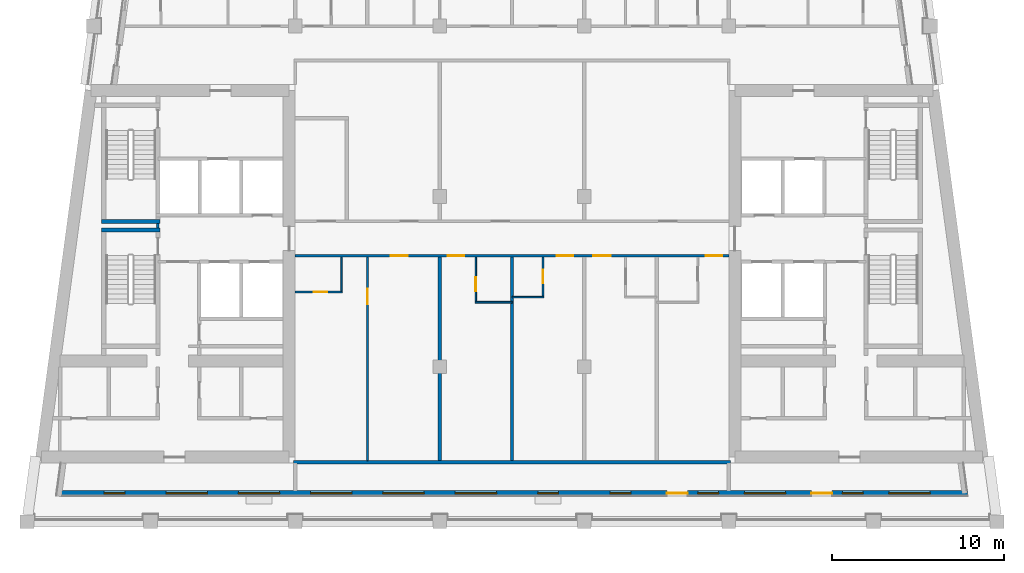
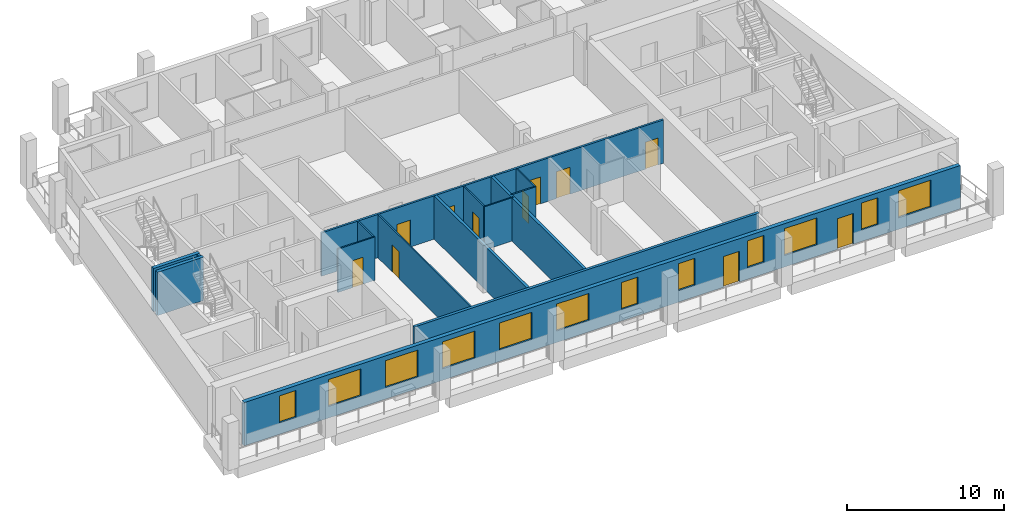
# One storey, part 3 of 13: 15 walls, 12 windows, 11 doors, 23 openings.
"""IFC4 building model written with IfcOpenShell, lengths in metres."""

from ifc_helpers import new_model, si_unit, direction, frame, frame_2d, origin, place, context, subcontext, project, spatial, rectangle, extrude, material, layer, layer_set, type_object, element, fill, save


model = new_model("IFC4")

# Units and contexts
model_context = context("Model", 3, precision=1e-05, world=origin(), true_north=direction((0.0, 1.0)))
body_context = subcontext(model_context, "Body", "Model", "MODEL_VIEW")
ifc_project = project(units=[si_unit("LENGTHUNIT", "METRE"), si_unit("AREAUNIT", "SQUARE_METRE"), si_unit("VOLUMEUNIT", "CUBIC_METRE"), si_unit("PLANEANGLEUNIT", "RADIAN"), si_unit("MASSUNIT", "GRAM", prefix="KILO")], contexts=[model_context])

# Site, building, storey
site_placement = place(None, origin())
site = spatial("IfcSite", under=ifc_project, at=site_placement, CompositionType="ELEMENT")
building_placement = place(site_placement, origin())
building = spatial("IfcBuilding", under=site, at=building_placement, Name="Candeia Pilgrim Tower and Theatre", CompositionType="ELEMENT")
storey_placement = place(building_placement, frame((0.0, 0.0, 270.10009765625)))
storey = spatial("IfcBuildingStorey", under=building, at=storey_placement, Name="L65", CompositionType="ELEMENT", Elevation=270.10009765625)

# Wall, openings, doors, windows
ifc_material_1 = material(Name="Ceramic block masonry", Category="masonry")
ifc_layer_1 = layer(ifc_material_1, 0.300048828125)
ifc_layer_set_1 = layer_set([ifc_layer_1], Name="EW1 glazing-line wall 300")
wall_type_1 = type_object("IfcWallType", Name="EW1 glazing-line wall 300", PredefinedType="SOLIDWALL", material=ifc_layer_set_1)
wall_1_placement = place(storey_placement, frame((87.0986328125, 108.64990234375, 0.0), z_axis=(0.0, 0.0, 1.0), x_axis=(1.0, 0.0, 0.0)))
wall_1 = element("IfcWall", 1, at=wall_1_placement, inside=storey, type_object=wall_type_1, Name="External wall L65-1.0", PredefinedType="SOLIDWALL", context=body_context, shape_type="SweptSolid", body=[
    extrude(rectangle(XDim=52.7744140625, YDim=0.300048828125, at=frame_2d((26.38720703125, 0.0))), origin(), (0.0, 0.0, 1.0), 3.3798828125),
])
opening_1_placement = place(wall_1_placement, frame((2.6015625, 0.0, 0.89990234375)))
opening_1 = element("IfcOpeningElement", 2, at=opening_1_placement, cuts=wall_1, Name="Opening W-B", PredefinedType="OPENING", context=body_context, shape_type="SweptSolid", body=[
    extrude(rectangle(XDim=1.199951171875, YDim=2.10009765625, at=frame_2d((0.60009765625, 1.050048828125))), frame((0.0, 0.16015625, 0.0), z_axis=(0.0, -1.0, 0.0), x_axis=(1.0, 0.0, 0.0)), (0.0, 0.0, 1.0), 0.320068359375),
])
opening_2_placement = place(wall_1_placement, frame((6.201416015625, 0.0, 0.89990234375)))
opening_2 = element("IfcOpeningElement", 3, at=opening_2_placement, cuts=wall_1, Name="Opening W-A", PredefinedType="OPENING", context=body_context, shape_type="SweptSolid", body=[
    extrude(rectangle(XDim=2.39990234375, YDim=2.10009765625, at=frame_2d((1.199951171875, 1.050048828125))), frame((0.0, 0.16015625, 0.0), z_axis=(0.0, -1.0, 0.0), x_axis=(1.0, 0.0, 0.0)), (0.0, 0.0, 1.0), 0.320068359375),
])
opening_3_placement = place(wall_1_placement, frame((10.4013671875, 0.0, 0.89990234375)))
opening_3 = element("IfcOpeningElement", 4, at=opening_3_placement, cuts=wall_1, Name="Opening W-A", PredefinedType="OPENING", context=body_context, shape_type="SweptSolid", body=[
    extrude(rectangle(XDim=2.39990234375, YDim=2.10009765625, at=frame_2d((1.199951171875, 1.050048828125))), frame((0.0, 0.16015625, 0.0), z_axis=(0.0, -1.0, 0.0), x_axis=(1.0, 0.0, 0.0)), (0.0, 0.0, 1.0), 0.320068359375),
])
opening_4_placement = place(wall_1_placement, frame((14.6015625, 0.0, 0.89990234375)))
opening_4 = element("IfcOpeningElement", 5, at=opening_4_placement, cuts=wall_1, Name="Opening W-A", PredefinedType="OPENING", context=body_context, shape_type="SweptSolid", body=[
    extrude(rectangle(XDim=2.39990234375, YDim=2.10009765625, at=frame_2d((1.199951171875, 1.050048828125))), frame((0.0, 0.16015625, 0.0), z_axis=(0.0, -1.0, 0.0), x_axis=(1.0, 0.0, 0.0)), (0.0, 0.0, 1.0), 0.320068359375),
])
opening_5_placement = place(wall_1_placement, frame((18.801513671875, 0.0, 0.89990234375)))
opening_5 = element("IfcOpeningElement", 6, at=opening_5_placement, cuts=wall_1, Name="Opening W-A", PredefinedType="OPENING", context=body_context, shape_type="SweptSolid", body=[
    extrude(rectangle(XDim=2.39990234375, YDim=2.10009765625, at=frame_2d((1.199951171875, 1.050048828125))), frame((0.0, 0.16015625, 0.0), z_axis=(0.0, -1.0, 0.0), x_axis=(1.0, 0.0, 0.0)), (0.0, 0.0, 1.0), 0.320068359375),
])
opening_6_placement = place(wall_1_placement, frame((23.00146484375, 0.0, 0.89990234375)))
opening_6 = element("IfcOpeningElement", 7, at=opening_6_placement, cuts=wall_1, Name="Opening W-A", PredefinedType="OPENING", context=body_context, shape_type="SweptSolid", body=[
    extrude(rectangle(XDim=2.39990234375, YDim=2.10009765625, at=frame_2d((1.199951171875, 1.050048828125))), frame((0.0, 0.16015625, 0.0), z_axis=(0.0, -1.0, 0.0), x_axis=(1.0, 0.0, 0.0)), (0.0, 0.0, 1.0), 0.320068359375),
])
opening_7_placement = place(wall_1_placement, frame((27.801513671875, 0.0, 0.89990234375)))
opening_7 = element("IfcOpeningElement", 8, at=opening_7_placement, cuts=wall_1, Name="Opening W-B", PredefinedType="OPENING", context=body_context, shape_type="SweptSolid", body=[
    extrude(rectangle(XDim=1.199951171875, YDim=2.10009765625, at=frame_2d((0.60009765625, 1.050048828125))), frame((0.0, 0.16015625, 0.0), z_axis=(0.0, -1.0, 0.0), x_axis=(1.0, 0.0, 0.0)), (0.0, 0.0, 1.0), 0.320068359375),
])
opening_8_placement = place(wall_1_placement, frame((32.00146484375, 0.0, 0.89990234375)))
opening_8 = element("IfcOpeningElement", 9, at=opening_8_placement, cuts=wall_1, Name="Opening W-B", PredefinedType="OPENING", context=body_context, shape_type="SweptSolid", body=[
    extrude(rectangle(XDim=1.199951171875, YDim=2.10009765625, at=frame_2d((0.60009765625, 1.050048828125))), frame((0.0, 0.16015625, 0.0), z_axis=(0.0, -1.0, 0.0), x_axis=(1.0, 0.0, 0.0)), (0.0, 0.0, 1.0), 0.320068359375),
])
opening_9_placement = place(wall_1_placement, frame((35.301513671875, 0.0, 0.0)))
opening_9 = element("IfcOpeningElement", 10, at=opening_9_placement, cuts=wall_1, Name="Opening L65-ED613", PredefinedType="OPENING", context=body_context, shape_type="SweptSolid", body=[
    extrude(rectangle(XDim=1.199951171875, YDim=2.39990234375, at=frame_2d((0.60009765625, 1.199951171875))), frame((0.0, 0.16015625, 0.0), z_axis=(0.0, -1.0, 0.0), x_axis=(1.0, 0.0, 0.0)), (0.0, 0.0, 1.0), 0.320068359375),
])
opening_10_placement = place(wall_1_placement, frame((37.1015625, 0.0, 0.89990234375)))
opening_10 = element("IfcOpeningElement", 11, at=opening_10_placement, cuts=wall_1, Name="Opening W-B", PredefinedType="OPENING", context=body_context, shape_type="SweptSolid", body=[
    extrude(rectangle(XDim=1.199951171875, YDim=2.10009765625, at=frame_2d((0.60009765625, 1.050048828125))), frame((0.0, 0.16015625, 0.0), z_axis=(0.0, -1.0, 0.0), x_axis=(1.0, 0.0, 0.0)), (0.0, 0.0, 1.0), 0.320068359375),
])
opening_11_placement = place(wall_1_placement, frame((39.801513671875, 0.0, 0.89990234375)))
opening_11 = element("IfcOpeningElement", 12, at=opening_11_placement, cuts=wall_1, Name="Opening W-A", PredefinedType="OPENING", context=body_context, shape_type="SweptSolid", body=[
    extrude(rectangle(XDim=2.39990234375, YDim=2.10009765625, at=frame_2d((1.199951171875, 1.050048828125))), frame((0.0, 0.16015625, 0.0), z_axis=(0.0, -1.0, 0.0), x_axis=(1.0, 0.0, 0.0)), (0.0, 0.0, 1.0), 0.320068359375),
])
opening_12_placement = place(wall_1_placement, frame((43.701416015625, 0.0, 0.0)))
opening_12 = element("IfcOpeningElement", 13, at=opening_12_placement, cuts=wall_1, Name="Opening L65-ED614", PredefinedType="OPENING", context=body_context, shape_type="SweptSolid", body=[
    extrude(rectangle(XDim=1.199951171875, YDim=2.39990234375, at=frame_2d((0.60009765625, 1.199951171875))), frame((0.0, 0.16015625, 0.0), z_axis=(0.0, -1.0, 0.0), x_axis=(1.0, 0.0, 0.0)), (0.0, 0.0, 1.0), 0.320068359375),
])
opening_13_placement = place(wall_1_placement, frame((45.50146484375, 0.0, 0.89990234375)))
opening_13 = element("IfcOpeningElement", 14, at=opening_13_placement, cuts=wall_1, Name="Opening W-B", PredefinedType="OPENING", context=body_context, shape_type="SweptSolid", body=[
    extrude(rectangle(XDim=1.199951171875, YDim=2.10009765625, at=frame_2d((0.60009765625, 1.050048828125))), frame((0.0, 0.16015625, 0.0), z_axis=(0.0, -1.0, 0.0), x_axis=(1.0, 0.0, 0.0)), (0.0, 0.0, 1.0), 0.320068359375),
])
opening_14_placement = place(wall_1_placement, frame((48.201416015625, 0.0, 0.89990234375)))
opening_14 = element("IfcOpeningElement", 15, at=opening_14_placement, cuts=wall_1, Name="Opening W-A", PredefinedType="OPENING", context=body_context, shape_type="SweptSolid", body=[
    extrude(rectangle(XDim=2.39990234375, YDim=2.10009765625, at=frame_2d((1.199951171875, 1.050048828125))), frame((0.0, 0.16015625, 0.0), z_axis=(0.0, -1.0, 0.0), x_axis=(1.0, 0.0, 0.0)), (0.0, 0.0, 1.0), 0.320068359375),
])
ifc_material_2 = material(Name="Aluminium framed glazed door", Category="aluminium")
door_type_1 = type_object("IfcDoorType", Name="Loggia door 1200x2400", OperationType="DOUBLE_DOOR_SINGLE_SWING", PredefinedType="DOOR", material=ifc_material_2)
door_1_placement = place(opening_9_placement, origin())
door_1 = element("IfcDoor", 16, at=door_1_placement, inside=storey, type_object=door_type_1, Name="Loggia door L65-ED613", OperationType="DOUBLE_DOOR_SINGLE_SWING", OverallHeight=2.39990234375, OverallWidth=1.199951171875, PredefinedType="DOOR", context=body_context, shape_type="SweptSolid", body=[
    extrude(rectangle(XDim=1.199951171875, YDim=2.39990234375, at=frame_2d((0.60009765625, 1.199951171875))), frame((0.0, 0.02490234375, 0.0), z_axis=(0.0, -1.0, 0.0), x_axis=(1.0, 0.0, 0.0)), (0.0, 0.0, 1.0), 0.050048828125),
])
fill(opening_9, door_1)
door_2_placement = place(opening_12_placement, origin())
door_2 = element("IfcDoor", 17, at=door_2_placement, inside=storey, type_object=door_type_1, Name="Loggia door L65-ED614", OperationType="DOUBLE_DOOR_SINGLE_SWING", OverallHeight=2.39990234375, OverallWidth=1.199951171875, PredefinedType="DOOR", context=body_context, shape_type="SweptSolid", body=[
    extrude(rectangle(XDim=1.199951171875, YDim=2.39990234375, at=frame_2d((0.60009765625, 1.199951171875))), frame((0.0, 0.02490234375, 0.0), z_axis=(0.0, -1.0, 0.0), x_axis=(1.0, 0.0, 0.0)), (0.0, 0.0, 1.0), 0.050048828125),
])
fill(opening_12, door_2)
ifc_material_3 = material(Name="Aluminium framed double glazing", Category="aluminium")
window_type_1 = type_object("IfcWindowType", Name="W-A window 2400x2100", PartitioningType="DOUBLE_PANEL_VERTICAL", PredefinedType="WINDOW", material=ifc_material_3)
window_1_placement = place(opening_2_placement, origin())
window_1 = element("IfcWindow", 18, at=window_1_placement, inside=storey, type_object=window_type_1, Name="Window W-A L65", OverallHeight=2.10009765625, OverallWidth=2.39990234375, PartitioningType="SINGLE_PANEL", PredefinedType="WINDOW", context=body_context, shape_type="SweptSolid", body=[
    extrude(rectangle(XDim=2.39990234375, YDim=2.10009765625, at=frame_2d((1.199951171875, 1.050048828125))), frame((0.0, 0.030029296875, 0.0), z_axis=(0.0, -1.0, 0.0), x_axis=(1.0, 0.0, 0.0)), (0.0, 0.0, 1.0), 0.06005859375),
])
fill(opening_2, window_1)
window_2_placement = place(opening_3_placement, origin())
window_2 = element("IfcWindow", 19, at=window_2_placement, inside=storey, type_object=window_type_1, Name="Window W-A L65", OverallHeight=2.10009765625, OverallWidth=2.39990234375, PartitioningType="SINGLE_PANEL", PredefinedType="WINDOW", context=body_context, shape_type="SweptSolid", body=[
    extrude(rectangle(XDim=2.39990234375, YDim=2.10009765625, at=frame_2d((1.199951171875, 1.050048828125))), frame((0.0, 0.030029296875, 0.0), z_axis=(0.0, -1.0, 0.0), x_axis=(1.0, 0.0, 0.0)), (0.0, 0.0, 1.0), 0.06005859375),
])
fill(opening_3, window_2)
window_3_placement = place(opening_4_placement, origin())
window_3 = element("IfcWindow", 20, at=window_3_placement, inside=storey, type_object=window_type_1, Name="Window W-A L65", OverallHeight=2.10009765625, OverallWidth=2.39990234375, PartitioningType="SINGLE_PANEL", PredefinedType="WINDOW", context=body_context, shape_type="SweptSolid", body=[
    extrude(rectangle(XDim=2.39990234375, YDim=2.10009765625, at=frame_2d((1.199951171875, 1.050048828125))), frame((0.0, 0.030029296875, 0.0), z_axis=(0.0, -1.0, 0.0), x_axis=(1.0, 0.0, 0.0)), (0.0, 0.0, 1.0), 0.06005859375),
])
fill(opening_4, window_3)
window_4_placement = place(opening_5_placement, origin())
window_4 = element("IfcWindow", 21, at=window_4_placement, inside=storey, type_object=window_type_1, Name="Window W-A L65", OverallHeight=2.10009765625, OverallWidth=2.39990234375, PartitioningType="SINGLE_PANEL", PredefinedType="WINDOW", context=body_context, shape_type="SweptSolid", body=[
    extrude(rectangle(XDim=2.39990234375, YDim=2.10009765625, at=frame_2d((1.199951171875, 1.050048828125))), frame((0.0, 0.030029296875, 0.0), z_axis=(0.0, -1.0, 0.0), x_axis=(1.0, 0.0, 0.0)), (0.0, 0.0, 1.0), 0.06005859375),
])
fill(opening_5, window_4)
window_5_placement = place(opening_6_placement, origin())
window_5 = element("IfcWindow", 22, at=window_5_placement, inside=storey, type_object=window_type_1, Name="Window W-A L65", OverallHeight=2.10009765625, OverallWidth=2.39990234375, PartitioningType="SINGLE_PANEL", PredefinedType="WINDOW", context=body_context, shape_type="SweptSolid", body=[
    extrude(rectangle(XDim=2.39990234375, YDim=2.10009765625, at=frame_2d((1.199951171875, 1.050048828125))), frame((0.0, 0.030029296875, 0.0), z_axis=(0.0, -1.0, 0.0), x_axis=(1.0, 0.0, 0.0)), (0.0, 0.0, 1.0), 0.06005859375),
])
fill(opening_6, window_5)
window_6_placement = place(opening_11_placement, origin())
window_6 = element("IfcWindow", 23, at=window_6_placement, inside=storey, type_object=window_type_1, Name="Window W-A L65", OverallHeight=2.10009765625, OverallWidth=2.39990234375, PartitioningType="SINGLE_PANEL", PredefinedType="WINDOW", context=body_context, shape_type="SweptSolid", body=[
    extrude(rectangle(XDim=2.39990234375, YDim=2.10009765625, at=frame_2d((1.199951171875, 1.050048828125))), frame((0.0, 0.030029296875, 0.0), z_axis=(0.0, -1.0, 0.0), x_axis=(1.0, 0.0, 0.0)), (0.0, 0.0, 1.0), 0.06005859375),
])
fill(opening_11, window_6)
window_7_placement = place(opening_14_placement, origin())
window_7 = element("IfcWindow", 24, at=window_7_placement, inside=storey, type_object=window_type_1, Name="Window W-A L65", OverallHeight=2.10009765625, OverallWidth=2.39990234375, PartitioningType="SINGLE_PANEL", PredefinedType="WINDOW", context=body_context, shape_type="SweptSolid", body=[
    extrude(rectangle(XDim=2.39990234375, YDim=2.10009765625, at=frame_2d((1.199951171875, 1.050048828125))), frame((0.0, 0.030029296875, 0.0), z_axis=(0.0, -1.0, 0.0), x_axis=(1.0, 0.0, 0.0)), (0.0, 0.0, 1.0), 0.06005859375),
])
fill(opening_14, window_7)
window_type_2 = type_object("IfcWindowType", Name="W-B window 1200x2100", PartitioningType="SINGLE_PANEL", PredefinedType="WINDOW", material=ifc_material_3)
window_8_placement = place(opening_1_placement, origin())
window_8 = element("IfcWindow", 25, at=window_8_placement, inside=storey, type_object=window_type_2, Name="Window W-B L65", OverallHeight=2.10009765625, OverallWidth=1.199951171875, PartitioningType="SINGLE_PANEL", PredefinedType="WINDOW", context=body_context, shape_type="SweptSolid", body=[
    extrude(rectangle(XDim=1.199951171875, YDim=2.10009765625, at=frame_2d((0.60009765625, 1.050048828125))), frame((0.0, 0.030029296875, 0.0), z_axis=(0.0, -1.0, 0.0), x_axis=(1.0, 0.0, 0.0)), (0.0, 0.0, 1.0), 0.06005859375),
])
fill(opening_1, window_8)
window_9_placement = place(opening_7_placement, origin())
window_9 = element("IfcWindow", 26, at=window_9_placement, inside=storey, type_object=window_type_2, Name="Window W-B L65", OverallHeight=2.10009765625, OverallWidth=1.199951171875, PartitioningType="SINGLE_PANEL", PredefinedType="WINDOW", context=body_context, shape_type="SweptSolid", body=[
    extrude(rectangle(XDim=1.199951171875, YDim=2.10009765625, at=frame_2d((0.60009765625, 1.050048828125))), frame((0.0, 0.030029296875, 0.0), z_axis=(0.0, -1.0, 0.0), x_axis=(1.0, 0.0, 0.0)), (0.0, 0.0, 1.0), 0.06005859375),
])
fill(opening_7, window_9)
window_10_placement = place(opening_8_placement, origin())
window_10 = element("IfcWindow", 27, at=window_10_placement, inside=storey, type_object=window_type_2, Name="Window W-B L65", OverallHeight=2.10009765625, OverallWidth=1.199951171875, PartitioningType="SINGLE_PANEL", PredefinedType="WINDOW", context=body_context, shape_type="SweptSolid", body=[
    extrude(rectangle(XDim=1.199951171875, YDim=2.10009765625, at=frame_2d((0.60009765625, 1.050048828125))), frame((0.0, 0.030029296875, 0.0), z_axis=(0.0, -1.0, 0.0), x_axis=(1.0, 0.0, 0.0)), (0.0, 0.0, 1.0), 0.06005859375),
])
fill(opening_8, window_10)
window_11_placement = place(opening_10_placement, origin())
window_11 = element("IfcWindow", 28, at=window_11_placement, inside=storey, type_object=window_type_2, Name="Window W-B L65", OverallHeight=2.10009765625, OverallWidth=1.199951171875, PartitioningType="SINGLE_PANEL", PredefinedType="WINDOW", context=body_context, shape_type="SweptSolid", body=[
    extrude(rectangle(XDim=1.199951171875, YDim=2.10009765625, at=frame_2d((0.60009765625, 1.050048828125))), frame((0.0, 0.030029296875, 0.0), z_axis=(0.0, -1.0, 0.0), x_axis=(1.0, 0.0, 0.0)), (0.0, 0.0, 1.0), 0.06005859375),
])
fill(opening_10, window_11)
window_12_placement = place(opening_13_placement, origin())
window_12 = element("IfcWindow", 29, at=window_12_placement, inside=storey, type_object=window_type_2, Name="Window W-B L65", OverallHeight=2.10009765625, OverallWidth=1.199951171875, PartitioningType="SINGLE_PANEL", PredefinedType="WINDOW", context=body_context, shape_type="SweptSolid", body=[
    extrude(rectangle(XDim=1.199951171875, YDim=2.10009765625, at=frame_2d((0.60009765625, 1.050048828125))), frame((0.0, 0.030029296875, 0.0), z_axis=(0.0, -1.0, 0.0), x_axis=(1.0, 0.0, 0.0)), (0.0, 0.0, 1.0), 0.06005859375),
])
fill(opening_13, window_12)

# Walls
ifc_material_4 = material(Name="Gypsum board partition on steel studs", Category="steel")
ifc_layer_2 = layer(ifc_material_4, 0.10009765625)
ifc_layer_set_2 = layer_set([ifc_layer_2], Name="PW-100 room partition")
wall_type_2 = type_object("IfcWallType", Name="PW-100 room partition", PredefinedType="PARTITIONING", material=ifc_layer_set_2)
wall_2_placement = place(storey_placement, frame((111.25, 119.75, 0.0), z_axis=(0.0, 0.0, 1.0), x_axis=(1.0, 0.0, 0.0)))
element("IfcWall", 30, at=wall_2_placement, inside=storey, type_object=wall_type_2, Name="Room partition L65-014", PredefinedType="PARTITIONING", context=body_context, shape_type="SweptSolid", body=[
    extrude(rectangle(XDim=2.14990234375, YDim=0.10009765625, at=frame_2d((1.074951171875, 0.0))), origin(), (0.0, 0.0, 1.0), 3.3798828125),
])
wall_3_placement = place(storey_placement, frame((113.39990234375, 120.050048828125, 0.0), z_axis=(0.0, 0.0, 1.0), x_axis=(1.0, 0.0, 0.0)))
element("IfcWall", 31, at=wall_3_placement, inside=storey, type_object=wall_type_2, Name="Room partition L65-016", PredefinedType="PARTITIONING", context=body_context, shape_type="SweptSolid", body=[
    extrude(rectangle(XDim=1.85009765625, YDim=0.10009765625, at=frame_2d((0.925048828125, 0.0))), origin(), (0.0, 0.0, 1.0), 3.3798828125),
])

# Wall, opening, door
wall_4_placement = place(storey_placement, frame((100.800048828125, 120.35009765625, 0.0), z_axis=(0.0, 0.0, 1.0), x_axis=(1.0, 0.0, 0.0)))
wall_4 = element("IfcWall", 32, at=wall_4_placement, inside=storey, type_object=wall_type_2, Name="Room partition L65-018", PredefinedType="PARTITIONING", context=body_context, shape_type="SweptSolid", body=[
    extrude(rectangle(XDim=2.75, YDim=0.10009765625, at=frame_2d((1.375, 0.0))), origin(), (0.0, 0.0, 1.0), 3.3798828125),
])
opening_15_placement = place(wall_4_placement, frame((1.070068359375, 0.0, 0.0)))
opening_15 = element("IfcOpeningElement", 33, at=opening_15_placement, cuts=wall_4, Name="Opening L65-D019", PredefinedType="OPENING", context=body_context, shape_type="SweptSolid", body=[
    extrude(rectangle(XDim=0.800048828125, YDim=2.10009765625, at=frame_2d((0.39990234375, 1.050048828125))), frame((0.0, 0.06005859375, 0.0), z_axis=(0.0, -1.0, 0.0), x_axis=(1.0, 0.0, 0.0)), (0.0, 0.0, 1.0), 0.1201171875),
])
ifc_material_5 = material(Name="Timber door leaf", Category="wood")
door_type_2 = type_object("IfcDoorType", Name="D-800", OperationType="NOTDEFINED", PredefinedType="DOOR", material=ifc_material_5)
door_3_placement = place(opening_15_placement, origin())
door_3 = element("IfcDoor", 34, at=door_3_placement, inside=storey, type_object=door_type_2, Name="Door L65-D019", OperationType="SINGLE_SWING_RIGHT", OverallHeight=2.10009765625, OverallWidth=0.800048828125, PredefinedType="DOOR", context=body_context, shape_type="SweptSolid", body=[
    extrude(rectangle(XDim=0.800048828125, YDim=2.10009765625, at=frame_2d((0.39990234375, 1.050048828125))), frame((0.0, 0.02490234375, 0.0), z_axis=(0.0, -1.0, 0.0), x_axis=(1.0, 0.0, 0.0)), (0.0, 0.0, 1.0), 0.050048828125),
])
fill(opening_15, door_3)

# Wall
wall_5_placement = place(storey_placement, frame((103.5, 120.39990234375, 0.0), z_axis=(0.0, 0.0, 1.0), x_axis=(0.0, 1.0, 0.0)))
element("IfcWall", 35, at=wall_5_placement, inside=storey, type_object=wall_type_2, Name="Room partition L65-066", PredefinedType="PARTITIONING", context=body_context, shape_type="SweptSolid", body=[
    extrude(rectangle(XDim=1.97509765625, YDim=0.10009765625, at=frame_2d((0.987548828125, 0.0))), origin(), (0.0, 0.0, 1.0), 3.3798828125),
])

# Wall, opening, door
wall_6_placement = place(storey_placement, frame((105.0, 110.550048828125, 0.0), z_axis=(0.0, 0.0, 1.0), x_axis=(0.0, 1.0, 0.0)))
wall_6 = element("IfcWall", 36, at=wall_6_placement, inside=storey, type_object=wall_type_2, Name="Room partition L65-068", PredefinedType="PARTITIONING", context=body_context, shape_type="SweptSolid", body=[
    extrude(rectangle(XDim=11.824951171875, YDim=0.10009765625, at=frame_2d((5.91259765625, 0.0))), origin(), (0.0, 0.0, 1.0), 3.3798828125),
])
opening_16_placement = place(wall_6_placement, frame((9.090087890625, 0.0, 0.0)))
opening_16 = element("IfcOpeningElement", 37, at=opening_16_placement, cuts=wall_6, Name="Opening L65-D018", PredefinedType="OPENING", context=body_context, shape_type="SweptSolid", body=[
    extrude(rectangle(XDim=0.89990234375, YDim=2.10009765625, at=frame_2d((0.449951171875, 1.050048828125))), frame((0.0, 0.06005859375, 0.0), z_axis=(0.0, -1.0, 0.0), x_axis=(1.0, 0.0, 0.0)), (0.0, 0.0, 1.0), 0.1201171875),
])
door_type_3 = type_object("IfcDoorType", Name="D-900", OperationType="NOTDEFINED", PredefinedType="DOOR", material=ifc_material_5)
door_4_placement = place(opening_16_placement, origin())
door_4 = element("IfcDoor", 38, at=door_4_placement, inside=storey, type_object=door_type_3, Name="Door L65-D018", OperationType="SINGLE_SWING_LEFT", OverallHeight=2.10009765625, OverallWidth=0.89990234375, PredefinedType="DOOR", context=body_context, shape_type="SweptSolid", body=[
    extrude(rectangle(XDim=0.89990234375, YDim=2.10009765625, at=frame_2d((0.449951171875, 1.050048828125))), frame((0.0, 0.02490234375, 0.0), z_axis=(0.0, -1.0, 0.0), x_axis=(1.0, 0.0, 0.0)), (0.0, 0.0, 1.0), 0.050048828125),
])
fill(opening_16, door_4)

wall_7_placement = place(storey_placement, frame((111.300048828125, 119.800048828125, 0.0), z_axis=(0.0, 0.0, 1.0), x_axis=(0.0, 1.0, 0.0)))
wall_7 = element("IfcWall", 39, at=wall_7_placement, inside=storey, type_object=wall_type_2, Name="Room partition L65-074", PredefinedType="PARTITIONING", context=body_context, shape_type="SweptSolid", body=[
    extrude(rectangle(XDim=2.574951171875, YDim=0.10009765625, at=frame_2d((1.28759765625, 0.0))), origin(), (0.0, 0.0, 1.0), 3.3798828125),
])
opening_17_placement = place(wall_7_placement, frame((0.60009765625, 0.0, 0.0)))
opening_17 = element("IfcOpeningElement", 40, at=opening_17_placement, cuts=wall_7, Name="Opening L65-D021", PredefinedType="OPENING", context=body_context, shape_type="SweptSolid", body=[
    extrude(rectangle(XDim=0.800048828125, YDim=2.10009765625, at=frame_2d((0.39990234375, 1.050048828125))), frame((0.0, 0.06005859375, 0.0), z_axis=(0.0, -1.0, 0.0), x_axis=(1.0, 0.0, 0.0)), (0.0, 0.0, 1.0), 0.1201171875),
])
door_5_placement = place(opening_17_placement, origin())
door_5 = element("IfcDoor", 41, at=door_5_placement, inside=storey, type_object=door_type_2, Name="Door L65-D021", OperationType="SINGLE_SWING_RIGHT", OverallHeight=2.10009765625, OverallWidth=0.800048828125, PredefinedType="DOOR", context=body_context, shape_type="SweptSolid", body=[
    extrude(rectangle(XDim=0.800048828125, YDim=2.10009765625, at=frame_2d((0.39990234375, 1.050048828125))), frame((0.0, 0.02490234375, 0.0), z_axis=(0.0, -1.0, 0.0), x_axis=(1.0, 0.0, 0.0)), (0.0, 0.0, 1.0), 0.050048828125),
])
fill(opening_17, door_5)

wall_8_placement = place(storey_placement, frame((115.199951171875, 120.10009765625, 0.0), z_axis=(0.0, 0.0, 1.0), x_axis=(0.0, 1.0, 0.0)))
wall_8 = element("IfcWall", 42, at=wall_8_placement, inside=storey, type_object=wall_type_2, Name="Room partition L65-077", PredefinedType="PARTITIONING", context=body_context, shape_type="SweptSolid", body=[
    extrude(rectangle(XDim=2.27490234375, YDim=0.10009765625, at=frame_2d((1.137451171875, 0.0))), origin(), (0.0, 0.0, 1.0), 3.3798828125),
])
opening_18_placement = place(wall_8_placement, frame((0.75, 0.0, 0.0)))
opening_18 = element("IfcOpeningElement", 43, at=opening_18_placement, cuts=wall_8, Name="Opening L65-D023", PredefinedType="OPENING", context=body_context, shape_type="SweptSolid", body=[
    extrude(rectangle(XDim=0.800048828125, YDim=2.10009765625, at=frame_2d((0.39990234375, 1.050048828125))), frame((0.0, 0.06005859375, 0.0), z_axis=(0.0, -1.0, 0.0), x_axis=(1.0, 0.0, 0.0)), (0.0, 0.0, 1.0), 0.1201171875),
])
door_6_placement = place(opening_18_placement, origin())
door_6 = element("IfcDoor", 44, at=door_6_placement, inside=storey, type_object=door_type_2, Name="Door L65-D023", OperationType="SINGLE_SWING_RIGHT", OverallHeight=2.10009765625, OverallWidth=0.800048828125, PredefinedType="DOOR", context=body_context, shape_type="SweptSolid", body=[
    extrude(rectangle(XDim=0.800048828125, YDim=2.10009765625, at=frame_2d((0.39990234375, 1.050048828125))), frame((0.0, 0.02490234375, 0.0), z_axis=(0.0, -1.0, 0.0), x_axis=(1.0, 0.0, 0.0)), (0.0, 0.0, 1.0), 0.050048828125),
])
fill(opening_18, door_6)

# Wall
ifc_layer_3 = layer(ifc_material_4, 0.14990234375)
ifc_layer_set_3 = layer_set([ifc_layer_3], Name="PW-150 lobby wall")
wall_type_3 = type_object("IfcWallType", Name="PW-150 lobby wall", PredefinedType="PARTITIONING", material=ifc_layer_set_3)
wall_9_placement = place(storey_placement, frame((92.826904296875, 124.074951171875, 0.0), z_axis=(0.0, 0.0, 1.0), x_axis=(0.0, 1.0, 0.0)))
element("IfcWall", 45, at=wall_9_placement, inside=storey, type_object=wall_type_3, Name="Lobby wall L65-051", PredefinedType="PARTITIONING", context=body_context, shape_type="SweptSolid", body=[
    extrude(rectangle(XDim=0.25, YDim=0.14990234375, at=frame_2d((0.125, 0.0))), origin(), (0.0, 0.0, 1.0), 3.3798828125),
])

# Wall, openings, doors
ifc_layer_4 = layer(ifc_material_4, 0.14990234375)
ifc_layer_set_4 = layer_set([ifc_layer_4], Name="PW-150 unit wall")
wall_type_4 = type_object("IfcWallType", Name="PW-150 unit wall", PredefinedType="PARTITIONING", material=ifc_layer_set_4)
wall_10_placement = place(storey_placement, frame((100.800048828125, 122.449951171875, 0.0), z_axis=(0.0, 0.0, 1.0), x_axis=(1.0, 0.0, 0.0)))
wall_10 = element("IfcWall", 46, at=wall_10_placement, inside=storey, type_object=wall_type_4, Name="Unit wall L65-023", PredefinedType="PARTITIONING", context=body_context, shape_type="SweptSolid", body=[
    extrude(rectangle(XDim=25.199951171875, YDim=0.14990234375, at=frame_2d((12.60009765625, 0.0))), origin(), (0.0, 0.0, 1.0), 3.3798828125),
])
opening_19_placement = place(wall_10_placement, frame((5.550048828125, 0.0, 0.0)))
opening_19 = element("IfcOpeningElement", 47, at=opening_19_placement, cuts=wall_10, Name="Opening L65-D017", PredefinedType="OPENING", context=body_context, shape_type="SweptSolid", body=[
    extrude(rectangle(XDim=1.0, YDim=2.10009765625, at=frame_2d((0.5, 1.050048828125))), frame((0.0, 0.0849609375, 0.0), z_axis=(0.0, -1.0, 0.0), x_axis=(1.0, 0.0, 0.0)), (0.0, 0.0, 1.0), 0.169921875),
])
opening_20_placement = place(wall_10_placement, frame((8.862060546875, 0.0, 0.0)))
opening_20 = element("IfcOpeningElement", 48, at=opening_20_placement, cuts=wall_10, Name="Opening L65-D020", PredefinedType="OPENING", context=body_context, shape_type="SweptSolid", body=[
    extrude(rectangle(XDim=0.949951171875, YDim=2.10009765625, at=frame_2d((0.47509765625, 1.050048828125))), frame((0.0, 0.0849609375, 0.0), z_axis=(0.0, -1.0, 0.0), x_axis=(1.0, 0.0, 0.0)), (0.0, 0.0, 1.0), 0.169921875),
])
opening_21_placement = place(wall_10_placement, frame((15.199951171875, 0.0, 0.0)))
opening_21 = element("IfcOpeningElement", 49, at=opening_21_placement, cuts=wall_10, Name="Opening L65-D022", PredefinedType="OPENING", context=body_context, shape_type="SweptSolid", body=[
    extrude(rectangle(XDim=0.949951171875, YDim=2.10009765625, at=frame_2d((0.47509765625, 1.050048828125))), frame((0.0, 0.0849609375, 0.0), z_axis=(0.0, -1.0, 0.0), x_axis=(1.0, 0.0, 0.0)), (0.0, 0.0, 1.0), 0.169921875),
])
opening_22_placement = place(wall_10_placement, frame((17.324951171875, 0.0, 0.0)))
opening_22 = element("IfcOpeningElement", 50, at=opening_22_placement, cuts=wall_10, Name="Opening L65-D024", PredefinedType="OPENING", context=body_context, shape_type="SweptSolid", body=[
    extrude(rectangle(XDim=1.0, YDim=2.10009765625, at=frame_2d((0.5, 1.050048828125))), frame((0.0, 0.0849609375, 0.0), z_axis=(0.0, -1.0, 0.0), x_axis=(1.0, 0.0, 0.0)), (0.0, 0.0, 1.0), 0.169921875),
])
opening_23_placement = place(wall_10_placement, frame((23.862060546875, 0.0, 0.0)))
opening_23 = element("IfcOpeningElement", 51, at=opening_23_placement, cuts=wall_10, Name="Opening L65-D026", PredefinedType="OPENING", context=body_context, shape_type="SweptSolid", body=[
    extrude(rectangle(XDim=0.949951171875, YDim=2.10009765625, at=frame_2d((0.47509765625, 1.050048828125))), frame((0.0, 0.0849609375, 0.0), z_axis=(0.0, -1.0, 0.0), x_axis=(1.0, 0.0, 0.0)), (0.0, 0.0, 1.0), 0.169921875),
])
ifc_material_6 = material(Name="Steel fire door set", Category="steel")
door_type_4 = type_object("IfcDoorType", Name="D-1000-FD30S", OperationType="NOTDEFINED", PredefinedType="DOOR", material=ifc_material_6)
door_7_placement = place(opening_19_placement, origin())
door_7 = element("IfcDoor", 52, at=door_7_placement, inside=storey, type_object=door_type_4, Name="Door L65-D017", OperationType="SINGLE_SWING_RIGHT", OverallHeight=2.10009765625, OverallWidth=1.0, PredefinedType="DOOR", context=body_context, shape_type="SweptSolid", body=[
    extrude(rectangle(XDim=1.0, YDim=2.10009765625, at=frame_2d((0.5, 1.050048828125))), frame((0.0, 0.02490234375, 0.0), z_axis=(0.0, -1.0, 0.0), x_axis=(1.0, 0.0, 0.0)), (0.0, 0.0, 1.0), 0.050048828125),
])
fill(opening_19, door_7)
door_8_placement = place(opening_22_placement, origin())
door_8 = element("IfcDoor", 53, at=door_8_placement, inside=storey, type_object=door_type_4, Name="Door L65-D024", OperationType="SINGLE_SWING_LEFT", OverallHeight=2.10009765625, OverallWidth=1.0, PredefinedType="DOOR", context=body_context, shape_type="SweptSolid", body=[
    extrude(rectangle(XDim=1.0, YDim=2.10009765625, at=frame_2d((0.5, 1.050048828125))), frame((0.0, 0.02490234375, 0.0), z_axis=(0.0, -1.0, 0.0), x_axis=(1.0, 0.0, 0.0)), (0.0, 0.0, 1.0), 0.050048828125),
])
fill(opening_22, door_8)
door_type_5 = type_object("IfcDoorType", Name="D-950-FD30S", OperationType="NOTDEFINED", PredefinedType="DOOR", material=ifc_material_6)
door_9_placement = place(opening_20_placement, origin())
door_9 = element("IfcDoor", 54, at=door_9_placement, inside=storey, type_object=door_type_5, Name="Door L65-D020", OperationType="SINGLE_SWING_LEFT", OverallHeight=2.10009765625, OverallWidth=0.949951171875, PredefinedType="DOOR", context=body_context, shape_type="SweptSolid", body=[
    extrude(rectangle(XDim=0.949951171875, YDim=2.10009765625, at=frame_2d((0.47509765625, 1.050048828125))), frame((0.0, 0.02490234375, 0.0), z_axis=(0.0, -1.0, 0.0), x_axis=(1.0, 0.0, 0.0)), (0.0, 0.0, 1.0), 0.050048828125),
])
fill(opening_20, door_9)
door_10_placement = place(opening_21_placement, origin())
door_10 = element("IfcDoor", 55, at=door_10_placement, inside=storey, type_object=door_type_5, Name="Door L65-D022", OperationType="SINGLE_SWING_LEFT", OverallHeight=2.10009765625, OverallWidth=0.949951171875, PredefinedType="DOOR", context=body_context, shape_type="SweptSolid", body=[
    extrude(rectangle(XDim=0.949951171875, YDim=2.10009765625, at=frame_2d((0.47509765625, 1.050048828125))), frame((0.0, 0.02490234375, 0.0), z_axis=(0.0, -1.0, 0.0), x_axis=(1.0, 0.0, 0.0)), (0.0, 0.0, 1.0), 0.050048828125),
])
fill(opening_21, door_10)
door_11_placement = place(opening_23_placement, origin())
door_11 = element("IfcDoor", 56, at=door_11_placement, inside=storey, type_object=door_type_5, Name="Door L65-D026", OperationType="SINGLE_SWING_LEFT", OverallHeight=2.10009765625, OverallWidth=0.949951171875, PredefinedType="DOOR", context=body_context, shape_type="SweptSolid", body=[
    extrude(rectangle(XDim=0.949951171875, YDim=2.10009765625, at=frame_2d((0.47509765625, 1.050048828125))), frame((0.0, 0.02490234375, 0.0), z_axis=(0.0, -1.0, 0.0), x_axis=(1.0, 0.0, 0.0)), (0.0, 0.0, 1.0), 0.050048828125),
])
fill(opening_23, door_11)

# Walls
ifc_layer_5 = layer(ifc_material_4, 0.199951171875)
ifc_layer_set_5 = layer_set([ifc_layer_5], Name="PW-200 party wall")
wall_type_5 = type_object("IfcWallType", Name="PW-200 party wall", PredefinedType="PARTITIONING", material=ifc_layer_set_5)
wall_11_placement = place(storey_placement, frame((100.699951171875, 110.449951171875, 0.0), z_axis=(0.0, 0.0, 1.0), x_axis=(1.0, 0.0, 0.0)))
element("IfcWall", 57, at=wall_11_placement, inside=storey, type_object=wall_type_5, Name="Party wall L65-001", PredefinedType="PARTITIONING", context=body_context, shape_type="SweptSolid", body=[
    extrude(rectangle(XDim=25.400146484375, YDim=0.199951171875, at=frame_2d((12.7001953125, 0.0))), origin(), (0.0, 0.0, 1.0), 3.3798828125),
])
for number, where, z_axis, x_axis, name in (
    (58, (109.199951171875, 110.550048828125, 0.0), (0.0, 0.0, 1.0), (0.0, 1.0, 0.0), "Party wall L65-072"),
    (59, (113.39990234375, 110.550048828125, 0.0), (0.0, 0.0, 1.0), (0.0, 1.0, 0.0), "Party wall L65-075"),
):
    element("IfcWall", number, at=place(storey_placement, frame(where, z_axis=z_axis, x_axis=x_axis)), inside=storey, type_object=wall_type_5, Name=name, PredefinedType="PARTITIONING", context=body_context, shape_type="SweptSolid", body=[
        extrude(rectangle(XDim=11.824951171875, YDim=0.199951171875, at=frame_2d((5.91259765625, 0.0))), origin(), (0.0, 0.0, 1.0), 3.3798828125),
    ])
ifc_material_7 = material(Name="Concrete C40/50", Category="concrete")
ifc_layer_6 = layer(ifc_material_7, 0.25)
ifc_layer_set_6 = layer_set([ifc_layer_6], Name="SW-250 stair wall")
wall_type_6 = type_object("IfcWallType", Name="SW-250 stair wall", PredefinedType="PARTITIONING", material=ifc_layer_set_6)
for number, where, z_axis, x_axis, name in (
    (60, (89.552001953125, 123.949951171875, 0.0), (0.0, 0.0, 1.0), (1.0, 0.0, 0.0), "Stair wall L65-024"),
    (61, (89.552001953125, 124.449951171875, 0.0), (0.0, 0.0, 1.0), (1.0, 0.0, 0.0), "Stair wall L65-026"),
):
    element("IfcWall", number, at=place(storey_placement, frame(where, z_axis=z_axis, x_axis=x_axis)), inside=storey, type_object=wall_type_6, Name=name, PredefinedType="PARTITIONING", context=body_context, shape_type="SweptSolid", body=[
        extrude(rectangle(XDim=3.39990234375, YDim=0.25, at=frame_2d((1.699951171875, 0.0))), origin(), (0.0, 0.0, 1.0), 3.3798828125),
    ])

save(model, "model.ifc")
